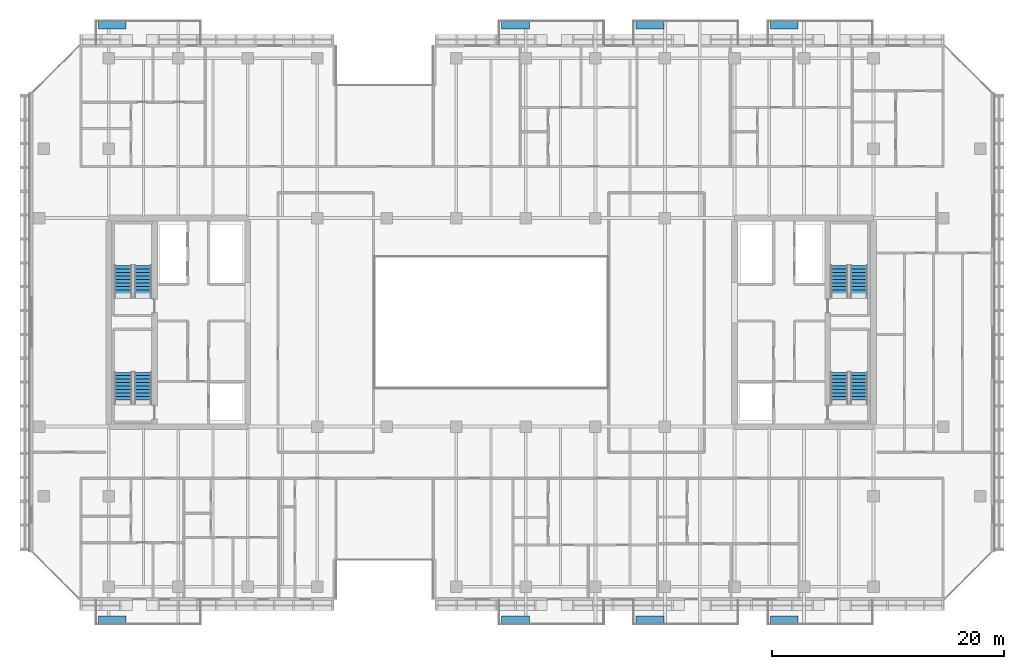
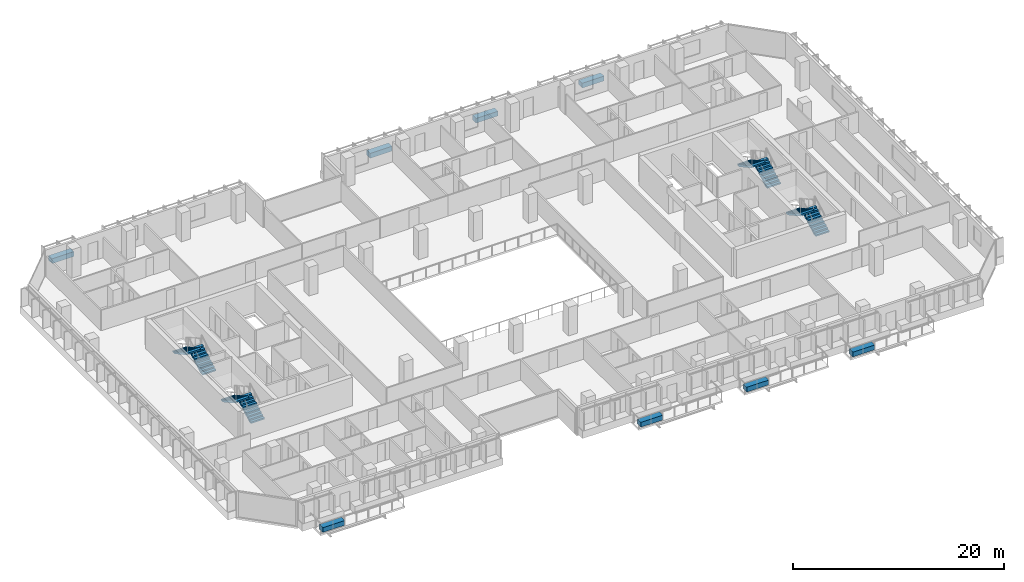
# One storey, part 29 of 35: 8 discrete accessories, 8 stair flights, 4 elements without a shape of their own.
"""IFC4 building model written with IfcOpenShell, lengths in metres."""

from ifc_helpers import new_model, si_unit, direction, frame, origin, origin_2d, place, context, subcontext, project, spatial, polyline, rectangle, outline, extrude, material, type_object, element, aggregate, save


model = new_model("IFC4")

# Units and contexts
model_context = context("Model", 3, precision=1e-05, world=origin(), true_north=direction((0.0, 1.0)))
body_context = subcontext(model_context, "Body", "Model", "MODEL_VIEW")
ifc_project = project(units=[si_unit("LENGTHUNIT", "METRE"), si_unit("AREAUNIT", "SQUARE_METRE"), si_unit("VOLUMEUNIT", "CUBIC_METRE"), si_unit("PLANEANGLEUNIT", "RADIAN"), si_unit("MASSUNIT", "GRAM", prefix="KILO")], contexts=[model_context])

# Site, building, storey
site_placement = place(None, origin())
site = spatial("IfcSite", under=ifc_project, at=site_placement, CompositionType="ELEMENT")
building_placement = place(site_placement, origin())
building = spatial("IfcBuilding", under=site, at=building_placement, Name="Tanjung Sevakor Pilgrim Tower", CompositionType="ELEMENT")
storey_placement = place(building_placement, frame((0.0, 0.0, 92.070068359375)))
storey = spatial("IfcBuildingStorey", under=building, at=storey_placement, Name="L25", CompositionType="ELEMENT", Elevation=92.070068359375)

# Stair, stair flights
ifc_material_1 = material(Name="Concrete C40/50", Category="concrete")
stair_type = type_object("IfcStairType", Name="STAIR-ST-CR150", PredefinedType="HALF_TURN_STAIR", material=ifc_material_1)
stair_1_placement = place(storey_placement, origin())
stair_1 = element("IfcStair", 1, at=stair_1_placement, inside=storey, type_object=stair_type, Name="L25 West Core Exit Stair 1", PredefinedType="HALF_TURN_STAIR")
ifc_material_2 = material(Name="Concrete C40/50", Category="concrete")
stair_flight_type = type_object("IfcStairFlightType", Name="FLIGHT-ST-CR150", PredefinedType="STRAIGHT", material=ifc_material_2)
stair_flight_1_placement = place(storey_placement, frame((26.949951171875, 26.60009765625, 0.0), z_axis=(0.0, 0.0, 1.0), x_axis=(0.0, 1.0, 0.0)))
stair_flight_1 = element("IfcStairFlight", 2, at=stair_flight_1_placement, type_object=stair_flight_type, Name="TS-W1 flight 1", NumberOfRisers=10, NumberOfTreads=9, PredefinedType="STRAIGHT", RiserHeight=0.165, TreadLength=0.3, context=body_context, shape_type="SweptSolid", body=[
    extrude(outline(polyline([(0.0, 0.0), (0.0, 0.1650390625), (0.300048828125, 0.1650390625), (0.300048828125, 0.330078125), (0.60009765625, 0.330078125), (0.60009765625, 0.4951171875), (0.89990234375, 0.4951171875), (0.89990234375, 0.659912109375), (1.199951171875, 0.659912109375), (1.199951171875, 0.824951171875), (1.5, 0.824951171875), (1.5, 0.989990234375), (1.800048828125, 0.989990234375), (1.800048828125, 1.155029296875), (2.10009765625, 1.155029296875), (2.10009765625, 1.320068359375), (2.39990234375, 1.320068359375), (2.39990234375, 1.485107421875), (2.699951171875, 1.485107421875), (2.699951171875, 1.64990234375), (2.699951171875, 1.302490234375), (0.331787109375, 0.0), (0.0, 0.0)])), frame((0.0, 0.75, 0.0), z_axis=(0.0, -1.0, 0.0), x_axis=(1.0, 0.0, 0.0)), (0.0, 0.0, 1.0), 1.5),
])
stair_flight_2_placement = place(storey_placement, frame((25.25, 29.300048828125, 1.64990234375), z_axis=(0.0, 0.0, 1.0), x_axis=(0.0, -1.0, 0.0)))
stair_flight_2 = element("IfcStairFlight", 3, at=stair_flight_2_placement, type_object=stair_flight_type, Name="TS-W1 flight 2", NumberOfRisers=10, NumberOfTreads=9, PredefinedType="STRAIGHT", RiserHeight=0.165, TreadLength=0.3, context=body_context, shape_type="SweptSolid", body=[
    extrude(outline(polyline([(0.0, 0.0), (0.0, 0.1650390625), (0.300048828125, 0.1650390625), (0.300048828125, 0.330078125), (0.60009765625, 0.330078125), (0.60009765625, 0.4951171875), (0.89990234375, 0.4951171875), (0.89990234375, 0.659912109375), (1.199951171875, 0.659912109375), (1.199951171875, 0.824951171875), (1.5, 0.824951171875), (1.5, 0.989990234375), (1.800048828125, 0.989990234375), (1.800048828125, 1.155029296875), (2.10009765625, 1.155029296875), (2.10009765625, 1.320068359375), (2.39990234375, 1.320068359375), (2.39990234375, 1.485107421875), (2.699951171875, 1.485107421875), (2.699951171875, 1.64990234375), (2.699951171875, 1.302490234375), (0.331787109375, 0.0), (0.0, 0.0)])), frame((0.0, 0.75, 0.0), z_axis=(0.0, -1.0, 0.0), x_axis=(1.0, 0.0, 0.0)), (0.0, 0.0, 1.0), 1.5),
])
aggregate(stair_1, [stair_flight_1, stair_flight_2])

stair_2_placement = place(storey_placement, origin())
stair_2 = element("IfcStair", 4, at=stair_2_placement, inside=storey, type_object=stair_type, Name="L25 West Core Exit Stair 2", PredefinedType="HALF_TURN_STAIR")
stair_flight_3_placement = place(storey_placement, frame((26.949951171875, 35.800048828125, 0.0), z_axis=(0.0, 0.0, 1.0), x_axis=(0.0, 1.0, 0.0)))
stair_flight_3 = element("IfcStairFlight", 5, at=stair_flight_3_placement, type_object=stair_flight_type, Name="TS-W2 flight 1", NumberOfRisers=10, NumberOfTreads=9, PredefinedType="STRAIGHT", RiserHeight=0.165, TreadLength=0.3, context=body_context, shape_type="SweptSolid", body=[
    extrude(outline(polyline([(0.0, 0.0), (0.0, 0.1650390625), (0.300048828125, 0.1650390625), (0.300048828125, 0.330078125), (0.60009765625, 0.330078125), (0.60009765625, 0.4951171875), (0.89990234375, 0.4951171875), (0.89990234375, 0.659912109375), (1.199951171875, 0.659912109375), (1.199951171875, 0.824951171875), (1.5, 0.824951171875), (1.5, 0.989990234375), (1.800048828125, 0.989990234375), (1.800048828125, 1.155029296875), (2.10009765625, 1.155029296875), (2.10009765625, 1.320068359375), (2.39990234375, 1.320068359375), (2.39990234375, 1.485107421875), (2.699951171875, 1.485107421875), (2.699951171875, 1.64990234375), (2.699951171875, 1.302490234375), (0.331787109375, 0.0), (0.0, 0.0)])), frame((0.0, 0.75, 0.0), z_axis=(0.0, -1.0, 0.0), x_axis=(1.0, 0.0, 0.0)), (0.0, 0.0, 1.0), 1.5),
])
stair_flight_4_placement = place(storey_placement, frame((25.25, 38.5, 1.64990234375), z_axis=(0.0, 0.0, 1.0), x_axis=(0.0, -1.0, 0.0)))
stair_flight_4 = element("IfcStairFlight", 6, at=stair_flight_4_placement, type_object=stair_flight_type, Name="TS-W2 flight 2", NumberOfRisers=10, NumberOfTreads=9, PredefinedType="STRAIGHT", RiserHeight=0.165, TreadLength=0.3, context=body_context, shape_type="SweptSolid", body=[
    extrude(outline(polyline([(0.0, 0.0), (0.0, 0.1650390625), (0.300048828125, 0.1650390625), (0.300048828125, 0.330078125), (0.60009765625, 0.330078125), (0.60009765625, 0.4951171875), (0.89990234375, 0.4951171875), (0.89990234375, 0.659912109375), (1.199951171875, 0.659912109375), (1.199951171875, 0.824951171875), (1.5, 0.824951171875), (1.5, 0.989990234375), (1.800048828125, 0.989990234375), (1.800048828125, 1.155029296875), (2.10009765625, 1.155029296875), (2.10009765625, 1.320068359375), (2.39990234375, 1.320068359375), (2.39990234375, 1.485107421875), (2.699951171875, 1.485107421875), (2.699951171875, 1.64990234375), (2.699951171875, 1.302490234375), (0.331787109375, 0.0), (0.0, 0.0)])), frame((0.0, 0.75, 0.0), z_axis=(0.0, -1.0, 0.0), x_axis=(1.0, 0.0, 0.0)), (0.0, 0.0, 1.0), 1.5),
])
aggregate(stair_2, [stair_flight_3, stair_flight_4])

stair_3_placement = place(storey_placement, origin())
stair_3 = element("IfcStair", 7, at=stair_3_placement, inside=storey, type_object=stair_type, Name="L25 East Core Exit Stair 1", PredefinedType="HALF_TURN_STAIR")
stair_flight_5_placement = place(storey_placement, frame((88.75, 26.60009765625, 0.0), z_axis=(0.0, 0.0, 1.0), x_axis=(0.0, 1.0, 0.0)))
stair_flight_5 = element("IfcStairFlight", 8, at=stair_flight_5_placement, type_object=stair_flight_type, Name="TS-E1 flight 1", NumberOfRisers=10, NumberOfTreads=9, PredefinedType="STRAIGHT", RiserHeight=0.165, TreadLength=0.3, context=body_context, shape_type="SweptSolid", body=[
    extrude(outline(polyline([(0.0, 0.0), (0.0, 0.1650390625), (0.300048828125, 0.1650390625), (0.300048828125, 0.330078125), (0.60009765625, 0.330078125), (0.60009765625, 0.4951171875), (0.89990234375, 0.4951171875), (0.89990234375, 0.659912109375), (1.199951171875, 0.659912109375), (1.199951171875, 0.824951171875), (1.5, 0.824951171875), (1.5, 0.989990234375), (1.800048828125, 0.989990234375), (1.800048828125, 1.155029296875), (2.10009765625, 1.155029296875), (2.10009765625, 1.320068359375), (2.39990234375, 1.320068359375), (2.39990234375, 1.485107421875), (2.699951171875, 1.485107421875), (2.699951171875, 1.64990234375), (2.699951171875, 1.302490234375), (0.331787109375, 0.0), (0.0, 0.0)])), frame((0.0, 0.75, 0.0), z_axis=(0.0, -1.0, 0.0), x_axis=(1.0, 0.0, 0.0)), (0.0, 0.0, 1.0), 1.5),
])
stair_flight_6_placement = place(storey_placement, frame((87.050048828125, 29.300048828125, 1.64990234375), z_axis=(0.0, 0.0, 1.0), x_axis=(0.0, -1.0, 0.0)))
stair_flight_6 = element("IfcStairFlight", 9, at=stair_flight_6_placement, type_object=stair_flight_type, Name="TS-E1 flight 2", NumberOfRisers=10, NumberOfTreads=9, PredefinedType="STRAIGHT", RiserHeight=0.165, TreadLength=0.3, context=body_context, shape_type="SweptSolid", body=[
    extrude(outline(polyline([(0.0, 0.0), (0.0, 0.1650390625), (0.300048828125, 0.1650390625), (0.300048828125, 0.330078125), (0.60009765625, 0.330078125), (0.60009765625, 0.4951171875), (0.89990234375, 0.4951171875), (0.89990234375, 0.659912109375), (1.199951171875, 0.659912109375), (1.199951171875, 0.824951171875), (1.5, 0.824951171875), (1.5, 0.989990234375), (1.800048828125, 0.989990234375), (1.800048828125, 1.155029296875), (2.10009765625, 1.155029296875), (2.10009765625, 1.320068359375), (2.39990234375, 1.320068359375), (2.39990234375, 1.485107421875), (2.699951171875, 1.485107421875), (2.699951171875, 1.64990234375), (2.699951171875, 1.302490234375), (0.331787109375, 0.0), (0.0, 0.0)])), frame((0.0, 0.75, 0.0), z_axis=(0.0, -1.0, 0.0), x_axis=(1.0, 0.0, 0.0)), (0.0, 0.0, 1.0), 1.5),
])
aggregate(stair_3, [stair_flight_5, stair_flight_6])

stair_4_placement = place(storey_placement, origin())
stair_4 = element("IfcStair", 10, at=stair_4_placement, inside=storey, type_object=stair_type, Name="L25 East Core Exit Stair 2", PredefinedType="HALF_TURN_STAIR")
stair_flight_7_placement = place(storey_placement, frame((88.75, 35.800048828125, 0.0), z_axis=(0.0, 0.0, 1.0), x_axis=(0.0, 1.0, 0.0)))
stair_flight_7 = element("IfcStairFlight", 11, at=stair_flight_7_placement, type_object=stair_flight_type, Name="TS-E2 flight 1", NumberOfRisers=10, NumberOfTreads=9, PredefinedType="STRAIGHT", RiserHeight=0.165, TreadLength=0.3, context=body_context, shape_type="SweptSolid", body=[
    extrude(outline(polyline([(0.0, 0.0), (0.0, 0.1650390625), (0.300048828125, 0.1650390625), (0.300048828125, 0.330078125), (0.60009765625, 0.330078125), (0.60009765625, 0.4951171875), (0.89990234375, 0.4951171875), (0.89990234375, 0.659912109375), (1.199951171875, 0.659912109375), (1.199951171875, 0.824951171875), (1.5, 0.824951171875), (1.5, 0.989990234375), (1.800048828125, 0.989990234375), (1.800048828125, 1.155029296875), (2.10009765625, 1.155029296875), (2.10009765625, 1.320068359375), (2.39990234375, 1.320068359375), (2.39990234375, 1.485107421875), (2.699951171875, 1.485107421875), (2.699951171875, 1.64990234375), (2.699951171875, 1.302490234375), (0.331787109375, 0.0), (0.0, 0.0)])), frame((0.0, 0.75, 0.0), z_axis=(0.0, -1.0, 0.0), x_axis=(1.0, 0.0, 0.0)), (0.0, 0.0, 1.0), 1.5),
])
stair_flight_8_placement = place(storey_placement, frame((87.050048828125, 38.5, 1.64990234375), z_axis=(0.0, 0.0, 1.0), x_axis=(0.0, -1.0, 0.0)))
stair_flight_8 = element("IfcStairFlight", 12, at=stair_flight_8_placement, type_object=stair_flight_type, Name="TS-E2 flight 2", NumberOfRisers=10, NumberOfTreads=9, PredefinedType="STRAIGHT", RiserHeight=0.165, TreadLength=0.3, context=body_context, shape_type="SweptSolid", body=[
    extrude(outline(polyline([(0.0, 0.0), (0.0, 0.1650390625), (0.300048828125, 0.1650390625), (0.300048828125, 0.330078125), (0.60009765625, 0.330078125), (0.60009765625, 0.4951171875), (0.89990234375, 0.4951171875), (0.89990234375, 0.659912109375), (1.199951171875, 0.659912109375), (1.199951171875, 0.824951171875), (1.5, 0.824951171875), (1.5, 0.989990234375), (1.800048828125, 0.989990234375), (1.800048828125, 1.155029296875), (2.10009765625, 1.155029296875), (2.10009765625, 1.320068359375), (2.39990234375, 1.320068359375), (2.39990234375, 1.485107421875), (2.699951171875, 1.485107421875), (2.699951171875, 1.64990234375), (2.699951171875, 1.302490234375), (0.331787109375, 0.0), (0.0, 0.0)])), frame((0.0, 0.75, 0.0), z_axis=(0.0, -1.0, 0.0), x_axis=(1.0, 0.0, 0.0)), (0.0, 0.0, 1.0), 1.5),
])
aggregate(stair_4, [stair_flight_7, stair_flight_8])

# Discrete accessories
ifc_material_3 = material(Name="Reconstructed Limestone Precast C45/55", Category="masonry")
discrete_accessory_type = type_object("IfcDiscreteAccessoryType", Name="ACC-PLANTER-STN2", PredefinedType="USERDEFINED", material=ifc_material_3)
for number, where, z_axis, x_axis, name in (
    (13, (24.300048828125, 7.949951171875, 0.0), (0.0, 0.0, 1.0), (1.0, 0.0, 0.0), "L25 Balcony Stone Planter 019"),
    (14, (24.300048828125, 59.25, 0.0), (0.0, 0.0, 1.0), (1.0, 0.0, 0.0), "L25 Balcony Stone Planter 020"),
    (15, (59.10009765625, 7.949951171875, 0.0), (0.0, 0.0, 1.0), (1.0, 0.0, 0.0), "L25 Balcony Stone Planter 021"),
    (16, (59.10009765625, 59.25, 0.0), (0.0, 0.0, 1.0), (1.0, 0.0, 0.0), "L25 Balcony Stone Planter 022"),
    (17, (70.699951171875, 7.949951171875, 0.0), (0.0, 0.0, 1.0), (1.0, 0.0, 0.0), "L25 Balcony Stone Planter 023"),
    (18, (70.699951171875, 59.25, 0.0), (0.0, 0.0, 1.0), (1.0, 0.0, 0.0), "L25 Balcony Stone Planter 024"),
    (19, (82.300048828125, 7.949951171875, 0.0), (0.0, 0.0, 1.0), (1.0, 0.0, 0.0), "L25 Balcony Stone Planter 025"),
    (20, (82.300048828125, 59.25, 0.0), (0.0, 0.0, 1.0), (1.0, 0.0, 0.0), "L25 Balcony Stone Planter 026"),
):
    element("IfcDiscreteAccessory", number, at=place(storey_placement, frame(where, z_axis=z_axis, x_axis=x_axis)), inside=storey, type_object=discrete_accessory_type, Name=name, ObjectType="PLANTER", PredefinedType="USERDEFINED", context=body_context, shape_type="SweptSolid", body=[
        extrude(rectangle(XDim=2.39990234375, YDim=0.64990234375, at=origin_2d()), origin(), (0.0, 0.0, 1.0), 0.550048828125),
    ])

save(model, "model.ifc")
